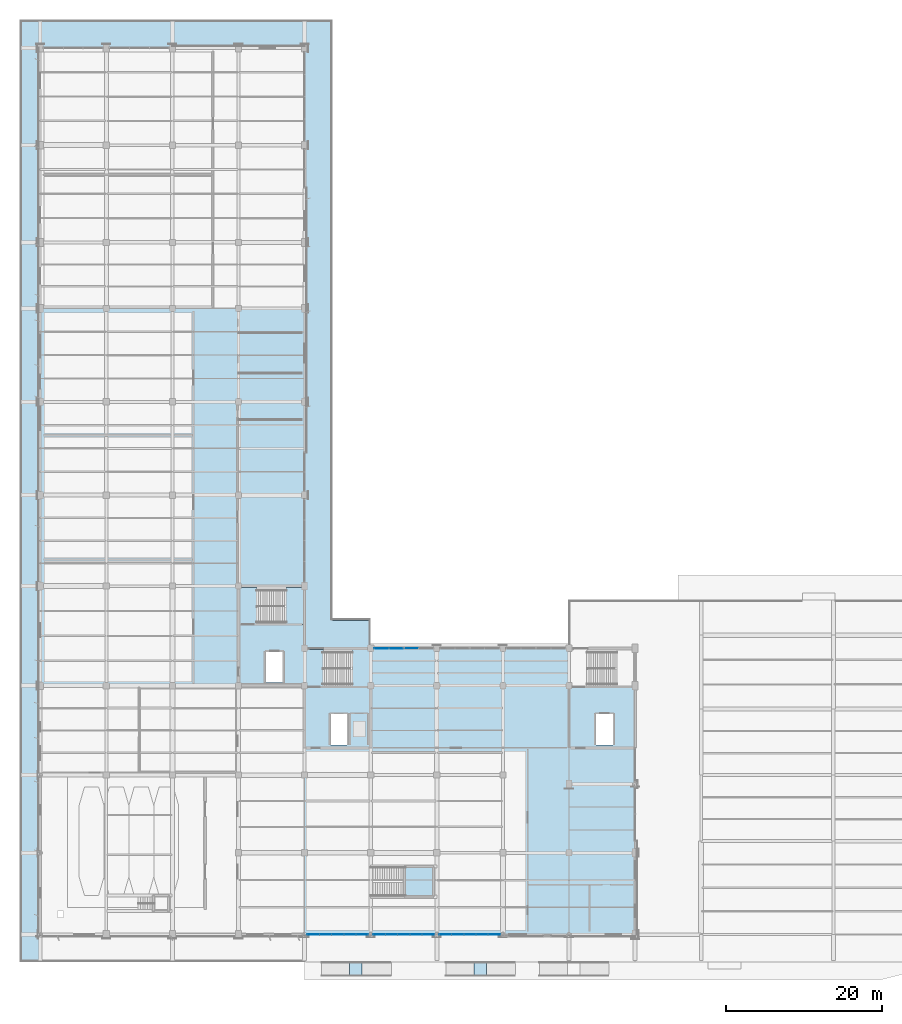
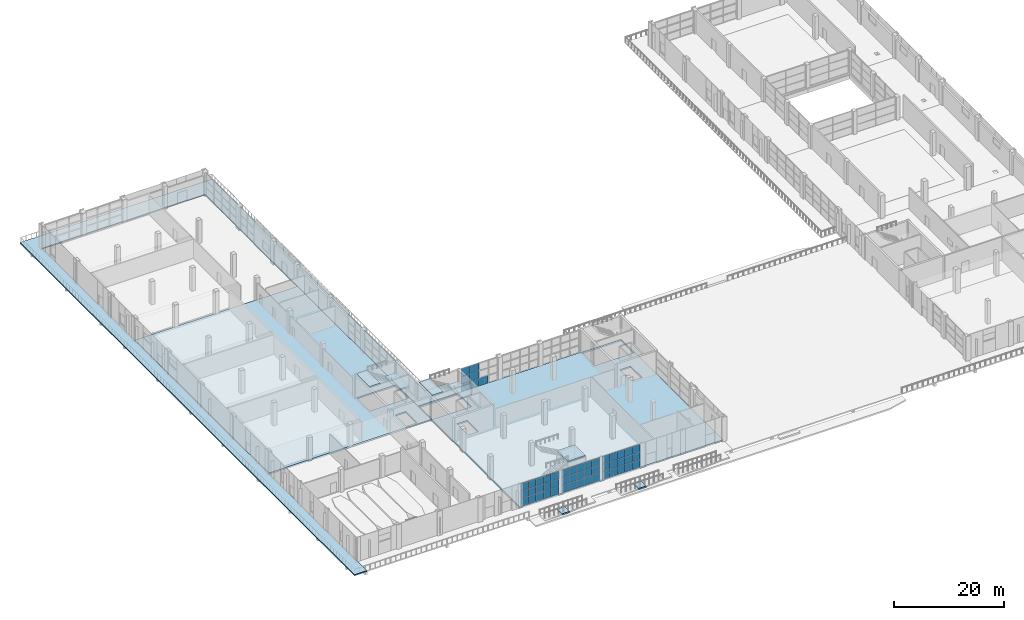
# One storey, part 61 of 90: 52 plates, 10 slabs, 9 elements without a shape of their own.
"""IFC4 building model written with IfcOpenShell, lengths in metres."""

from ifc_helpers import new_model, si_unit, direction, frame, origin, origin_2d, place, context, subcontext, project, spatial, polyline, rectangle, outline, extrude, material, layer, layer_set, type_object, element, aggregate, save


model = new_model("IFC4")

# Units and contexts
model_context = context("Model", 3, precision=1e-05, world=origin(), true_north=direction((0.0, 1.0)))
body_context = subcontext(model_context, "Body", "Model", "MODEL_VIEW")
ifc_project = project(units=[si_unit("LENGTHUNIT", "METRE"), si_unit("AREAUNIT", "SQUARE_METRE"), si_unit("VOLUMEUNIT", "CUBIC_METRE"), si_unit("PLANEANGLEUNIT", "RADIAN"), si_unit("MASSUNIT", "GRAM", prefix="KILO")], contexts=[model_context])

# Site, building, storey
site_placement = place(None, origin())
site = spatial("IfcSite", under=ifc_project, at=site_placement, CompositionType="ELEMENT")
building_placement = place(site_placement, origin())
building = spatial("IfcBuilding", under=site, at=building_placement, Name="Solvikara Media Centre", CompositionType="ELEMENT")
storey_placement = place(building_placement, origin())
storey = spatial("IfcBuildingStorey", under=building, at=storey_placement, Name="L00", CompositionType="ELEMENT", Elevation=0.0)

# Curtain wall, plates
ifc_material_1 = material(Name="Anodised aluminium EN AW-6063", Category="aluminium")
curtain_wall_type = type_object("IfcCurtainWallType", Name="CW-03", PredefinedType="NOTDEFINED", material=ifc_material_1)
curtain_wall_1_placement = place(storey_placement, origin())
curtain_wall_1 = element("IfcCurtainWall", 1, at=curtain_wall_1_placement, inside=storey, type_object=curtain_wall_type, Name="CW-L00-FOY-S1", PredefinedType="NOTDEFINED")
ifc_material_2 = material(Name="Double-glazed low-E architectural glass", Category="glass")
ifc_layer_1 = layer(ifc_material_2, 0.035888671875)
ifc_layer_set_1 = layer_set([ifc_layer_1], Name="Double-glazed low-E architectural glass")
plate_type_1 = type_object("IfcPlateType", Name="PN-06", PredefinedType="CURTAIN_PANEL", material=ifc_layer_set_1)
plate_1_placement = place(storey_placement, frame((35.10498046875, 0.0, 1.7216796875), z_axis=(0.0, 0.0, 1.0), x_axis=(1.0, 0.0, 0.0)))
plate_1 = element("IfcPlate", 2, at=plate_1_placement, type_object=plate_type_1, Name="CW-L00-FOY-S1-P0001", PredefinedType="CURTAIN_PANEL", context=body_context, shape_type="SweptSolid", body=[
    extrude(rectangle(XDim=1.5419921875, YDim=0.035888671875, at=origin_2d()), origin(), (0.0, 0.0, 1.0), 1.656982421875),
])
plate_2_placement = place(storey_placement, frame((36.677978515625, 0.0, 1.7216796875), z_axis=(0.0, 0.0, 1.0), x_axis=(1.0, 0.0, 0.0)))
plate_2 = element("IfcPlate", 3, at=plate_2_placement, type_object=plate_type_1, Name="CW-L00-FOY-S1-P0101", PredefinedType="CURTAIN_PANEL", context=body_context, shape_type="SweptSolid", body=[
    extrude(rectangle(XDim=1.5419921875, YDim=0.035888671875, at=origin_2d()), origin(), (0.0, 0.0, 1.0), 1.656982421875),
])
plate_3_placement = place(storey_placement, frame((38.25, 0.0, 1.7216796875), z_axis=(0.0, 0.0, 1.0), x_axis=(1.0, 0.0, 0.0)))
plate_3 = element("IfcPlate", 4, at=plate_3_placement, type_object=plate_type_1, Name="CW-L00-FOY-S1-P0201", PredefinedType="CURTAIN_PANEL", context=body_context, shape_type="SweptSolid", body=[
    extrude(rectangle(XDim=1.5419921875, YDim=0.035888671875, at=origin_2d()), origin(), (0.0, 0.0, 1.0), 1.656982421875),
])
plate_4_placement = place(storey_placement, frame((39.822021484375, 0.0, 1.7216796875), z_axis=(0.0, 0.0, 1.0), x_axis=(1.0, 0.0, 0.0)))
plate_4 = element("IfcPlate", 5, at=plate_4_placement, type_object=plate_type_1, Name="CW-L00-FOY-S1-P0301", PredefinedType="CURTAIN_PANEL", context=body_context, shape_type="SweptSolid", body=[
    extrude(rectangle(XDim=1.5419921875, YDim=0.035888671875, at=origin_2d()), origin(), (0.0, 0.0, 1.0), 1.656982421875),
])
plate_5_placement = place(storey_placement, frame((41.39501953125, 0.0, 1.7216796875), z_axis=(0.0, 0.0, 1.0), x_axis=(1.0, 0.0, 0.0)))
plate_5 = element("IfcPlate", 6, at=plate_5_placement, type_object=plate_type_1, Name="CW-L00-FOY-S1-P0401", PredefinedType="CURTAIN_PANEL", context=body_context, shape_type="SweptSolid", body=[
    extrude(rectangle(XDim=1.5419921875, YDim=0.035888671875, at=origin_2d()), origin(), (0.0, 0.0, 1.0), 1.656982421875),
])

curtain_wall_2_placement = place(storey_placement, origin())
curtain_wall_2 = element("IfcCurtainWall", 7, at=curtain_wall_2_placement, inside=storey, type_object=curtain_wall_type, Name="CW-L00-FOY-S2", PredefinedType="NOTDEFINED")
plate_6_placement = place(storey_placement, frame((43.60498046875, 0.0, 1.7216796875), z_axis=(0.0, 0.0, 1.0), x_axis=(1.0, 0.0, 0.0)))
plate_6 = element("IfcPlate", 8, at=plate_6_placement, type_object=plate_type_1, Name="CW-L00-FOY-S2-P0001", PredefinedType="CURTAIN_PANEL", context=body_context, shape_type="SweptSolid", body=[
    extrude(rectangle(XDim=1.5419921875, YDim=0.035888671875, at=origin_2d()), origin(), (0.0, 0.0, 1.0), 1.656982421875),
])
plate_7_placement = place(storey_placement, frame((45.177978515625, 0.0, 1.7216796875), z_axis=(0.0, 0.0, 1.0), x_axis=(1.0, 0.0, 0.0)))
plate_7 = element("IfcPlate", 9, at=plate_7_placement, type_object=plate_type_1, Name="CW-L00-FOY-S2-P0101", PredefinedType="CURTAIN_PANEL", context=body_context, shape_type="SweptSolid", body=[
    extrude(rectangle(XDim=1.5419921875, YDim=0.035888671875, at=origin_2d()), origin(), (0.0, 0.0, 1.0), 1.656982421875),
])
plate_8_placement = place(storey_placement, frame((46.75, 0.0, 1.7216796875), z_axis=(0.0, 0.0, 1.0), x_axis=(1.0, 0.0, 0.0)))
plate_8 = element("IfcPlate", 10, at=plate_8_placement, type_object=plate_type_1, Name="CW-L00-FOY-S2-P0201", PredefinedType="CURTAIN_PANEL", context=body_context, shape_type="SweptSolid", body=[
    extrude(rectangle(XDim=1.5419921875, YDim=0.035888671875, at=origin_2d()), origin(), (0.0, 0.0, 1.0), 1.656982421875),
])
plate_9_placement = place(storey_placement, frame((48.322021484375, 0.0, 1.7216796875), z_axis=(0.0, 0.0, 1.0), x_axis=(1.0, 0.0, 0.0)))
plate_9 = element("IfcPlate", 11, at=plate_9_placement, type_object=plate_type_1, Name="CW-L00-FOY-S2-P0301", PredefinedType="CURTAIN_PANEL", context=body_context, shape_type="SweptSolid", body=[
    extrude(rectangle(XDim=1.5419921875, YDim=0.035888671875, at=origin_2d()), origin(), (0.0, 0.0, 1.0), 1.656982421875),
])
plate_10_placement = place(storey_placement, frame((49.89501953125, 0.0, 1.7216796875), z_axis=(0.0, 0.0, 1.0), x_axis=(1.0, 0.0, 0.0)))
plate_10 = element("IfcPlate", 12, at=plate_10_placement, type_object=plate_type_1, Name="CW-L00-FOY-S2-P0401", PredefinedType="CURTAIN_PANEL", context=body_context, shape_type="SweptSolid", body=[
    extrude(rectangle(XDim=1.5419921875, YDim=0.035888671875, at=origin_2d()), origin(), (0.0, 0.0, 1.0), 1.656982421875),
])

curtain_wall_3_placement = place(storey_placement, origin())
curtain_wall_3 = element("IfcCurtainWall", 13, at=curtain_wall_3_placement, inside=storey, type_object=curtain_wall_type, Name="CW-L00-FOY-S3", PredefinedType="NOTDEFINED")
plate_11_placement = place(storey_placement, frame((52.10498046875, 0.0, 1.7216796875), z_axis=(0.0, 0.0, 1.0), x_axis=(1.0, 0.0, 0.0)))
plate_11 = element("IfcPlate", 14, at=plate_11_placement, type_object=plate_type_1, Name="CW-L00-FOY-S3-P0001", PredefinedType="CURTAIN_PANEL", context=body_context, shape_type="SweptSolid", body=[
    extrude(rectangle(XDim=1.5419921875, YDim=0.035888671875, at=origin_2d()), origin(), (0.0, 0.0, 1.0), 1.656982421875),
])
plate_12_placement = place(storey_placement, frame((53.677978515625, 0.0, 1.7216796875), z_axis=(0.0, 0.0, 1.0), x_axis=(1.0, 0.0, 0.0)))
plate_12 = element("IfcPlate", 15, at=plate_12_placement, type_object=plate_type_1, Name="CW-L00-FOY-S3-P0101", PredefinedType="CURTAIN_PANEL", context=body_context, shape_type="SweptSolid", body=[
    extrude(rectangle(XDim=1.5419921875, YDim=0.035888671875, at=origin_2d()), origin(), (0.0, 0.0, 1.0), 1.656982421875),
])
plate_13_placement = place(storey_placement, frame((55.25, 0.0, 1.7216796875), z_axis=(0.0, 0.0, 1.0), x_axis=(1.0, 0.0, 0.0)))
plate_13 = element("IfcPlate", 16, at=plate_13_placement, type_object=plate_type_1, Name="CW-L00-FOY-S3-P0201", PredefinedType="CURTAIN_PANEL", context=body_context, shape_type="SweptSolid", body=[
    extrude(rectangle(XDim=1.5419921875, YDim=0.035888671875, at=origin_2d()), origin(), (0.0, 0.0, 1.0), 1.656982421875),
])
plate_14_placement = place(storey_placement, frame((56.822021484375, 0.0, 1.7216796875), z_axis=(0.0, 0.0, 1.0), x_axis=(1.0, 0.0, 0.0)))
plate_14 = element("IfcPlate", 17, at=plate_14_placement, type_object=plate_type_1, Name="CW-L00-FOY-S3-P0301", PredefinedType="CURTAIN_PANEL", context=body_context, shape_type="SweptSolid", body=[
    extrude(rectangle(XDim=1.5419921875, YDim=0.035888671875, at=origin_2d()), origin(), (0.0, 0.0, 1.0), 1.656982421875),
])
plate_15_placement = place(storey_placement, frame((58.39501953125, 0.0, 1.7216796875), z_axis=(0.0, 0.0, 1.0), x_axis=(1.0, 0.0, 0.0)))
plate_15 = element("IfcPlate", 18, at=plate_15_placement, type_object=plate_type_1, Name="CW-L00-FOY-S3-P0401", PredefinedType="CURTAIN_PANEL", context=body_context, shape_type="SweptSolid", body=[
    extrude(rectangle(XDim=1.5419921875, YDim=0.035888671875, at=origin_2d()), origin(), (0.0, 0.0, 1.0), 1.656982421875),
])

curtain_wall_4_placement = place(storey_placement, origin())
curtain_wall_4 = element("IfcCurtainWall", 19, at=curtain_wall_4_placement, inside=storey, type_object=curtain_wall_type, Name="CW-L00-CAF-N1", PredefinedType="NOTDEFINED")
plate_16_placement = place(storey_placement, frame((43.89306640625, 36.800048828125, 0.03466796875), z_axis=(0.0, 0.0, 1.0), x_axis=(1.0, 0.0, 0.0)))
plate_16 = element("IfcPlate", 20, at=plate_16_placement, type_object=plate_type_1, Name="CW-L00-CAF-N1-P0000", PredefinedType="CURTAIN_PANEL", context=body_context, shape_type="SweptSolid", body=[
    extrude(rectangle(XDim=1.875, YDim=0.035888671875, at=origin_2d()), origin(), (0.0, 0.0, 1.0), 1.656982421875),
])
plate_17_placement = place(storey_placement, frame((43.89306640625, 36.800048828125, 1.7216796875), z_axis=(0.0, 0.0, 1.0), x_axis=(1.0, 0.0, 0.0)))
plate_17 = element("IfcPlate", 21, at=plate_17_placement, type_object=plate_type_1, Name="CW-L00-CAF-N1-P0001", PredefinedType="CURTAIN_PANEL", context=body_context, shape_type="SweptSolid", body=[
    extrude(rectangle(XDim=1.875, YDim=0.035888671875, at=origin_2d()), origin(), (0.0, 0.0, 1.0), 1.656982421875),
])
plate_18_placement = place(storey_placement, frame((45.798095703125, 36.800048828125, 0.03466796875), z_axis=(0.0, 0.0, 1.0), x_axis=(1.0, 0.0, 0.0)))
plate_18 = element("IfcPlate", 22, at=plate_18_placement, type_object=plate_type_1, Name="CW-L00-CAF-N1-P0100", PredefinedType="CURTAIN_PANEL", context=body_context, shape_type="SweptSolid", body=[
    extrude(rectangle(XDim=1.875, YDim=0.035888671875, at=origin_2d()), origin(), (0.0, 0.0, 1.0), 1.656982421875),
])
plate_19_placement = place(storey_placement, frame((45.798095703125, 36.800048828125, 1.7216796875), z_axis=(0.0, 0.0, 1.0), x_axis=(1.0, 0.0, 0.0)))
plate_19 = element("IfcPlate", 23, at=plate_19_placement, type_object=plate_type_1, Name="CW-L00-CAF-N1-P0101", PredefinedType="CURTAIN_PANEL", context=body_context, shape_type="SweptSolid", body=[
    extrude(rectangle(XDim=1.875, YDim=0.035888671875, at=origin_2d()), origin(), (0.0, 0.0, 1.0), 1.656982421875),
])
plate_20_placement = place(storey_placement, frame((47.702880859375, 36.800048828125, 0.03466796875), z_axis=(0.0, 0.0, 1.0), x_axis=(1.0, 0.0, 0.0)))
plate_20 = element("IfcPlate", 24, at=plate_20_placement, type_object=plate_type_1, Name="CW-L00-CAF-N1-P0200", PredefinedType="CURTAIN_PANEL", context=body_context, shape_type="SweptSolid", body=[
    extrude(rectangle(XDim=1.875, YDim=0.035888671875, at=origin_2d()), origin(), (0.0, 0.0, 1.0), 1.656982421875),
])

# Plate
ifc_material_3 = material(Name="Insulated silver-pearl glass spandrel panel", Category="glass")
ifc_layer_2 = layer(ifc_material_3, 0.054931640625)
ifc_layer_set_2 = layer_set([ifc_layer_2], Name="Insulated silver-pearl glass spandrel panel")
plate_type_2 = type_object("IfcPlateType", Name="PN-07", PredefinedType="CURTAIN_PANEL", material=ifc_layer_set_2)
plate_21_placement = place(storey_placement, frame((35.10498046875, 0.0, 3.40869140625), z_axis=(0.0, 0.0, 1.0), x_axis=(1.0, 0.0, 0.0)))
plate_21 = element("IfcPlate", 25, at=plate_21_placement, type_object=plate_type_2, Name="CW-L00-FOY-S1-P0002", PredefinedType="CURTAIN_PANEL", context=body_context, shape_type="SweptSolid", body=[
    extrude(rectangle(XDim=1.5419921875, YDim=0.054931640625, at=origin_2d()), origin(), (0.0, 0.0, 1.0), 1.656982421875),
])

plate_22_placement = place(storey_placement, frame((36.677978515625, 0.0, 3.40869140625), z_axis=(0.0, 0.0, 1.0), x_axis=(1.0, 0.0, 0.0)))
plate_22 = element("IfcPlate", 26, at=plate_22_placement, type_object=plate_type_2, Name="CW-L00-FOY-S1-P0102", PredefinedType="CURTAIN_PANEL", context=body_context, shape_type="SweptSolid", body=[
    extrude(rectangle(XDim=1.5419921875, YDim=0.054931640625, at=origin_2d()), origin(), (0.0, 0.0, 1.0), 1.656982421875),
])

plate_23_placement = place(storey_placement, frame((38.25, 0.0, 3.40869140625), z_axis=(0.0, 0.0, 1.0), x_axis=(1.0, 0.0, 0.0)))
plate_23 = element("IfcPlate", 27, at=plate_23_placement, type_object=plate_type_2, Name="CW-L00-FOY-S1-P0202", PredefinedType="CURTAIN_PANEL", context=body_context, shape_type="SweptSolid", body=[
    extrude(rectangle(XDim=1.5419921875, YDim=0.054931640625, at=origin_2d()), origin(), (0.0, 0.0, 1.0), 1.656982421875),
])

plate_24_placement = place(storey_placement, frame((39.822021484375, 0.0, 3.40869140625), z_axis=(0.0, 0.0, 1.0), x_axis=(1.0, 0.0, 0.0)))
plate_24 = element("IfcPlate", 28, at=plate_24_placement, type_object=plate_type_2, Name="CW-L00-FOY-S1-P0302", PredefinedType="CURTAIN_PANEL", context=body_context, shape_type="SweptSolid", body=[
    extrude(rectangle(XDim=1.5419921875, YDim=0.054931640625, at=origin_2d()), origin(), (0.0, 0.0, 1.0), 1.656982421875),
])

plate_25_placement = place(storey_placement, frame((41.39501953125, 0.0, 3.40869140625), z_axis=(0.0, 0.0, 1.0), x_axis=(1.0, 0.0, 0.0)))
plate_25 = element("IfcPlate", 29, at=plate_25_placement, type_object=plate_type_2, Name="CW-L00-FOY-S1-P0402", PredefinedType="CURTAIN_PANEL", context=body_context, shape_type="SweptSolid", body=[
    extrude(rectangle(XDim=1.5419921875, YDim=0.054931640625, at=origin_2d()), origin(), (0.0, 0.0, 1.0), 1.656982421875),
])

plate_26_placement = place(storey_placement, frame((43.60498046875, 0.0, 3.40869140625), z_axis=(0.0, 0.0, 1.0), x_axis=(1.0, 0.0, 0.0)))
plate_26 = element("IfcPlate", 30, at=plate_26_placement, type_object=plate_type_2, Name="CW-L00-FOY-S2-P0002", PredefinedType="CURTAIN_PANEL", context=body_context, shape_type="SweptSolid", body=[
    extrude(rectangle(XDim=1.5419921875, YDim=0.054931640625, at=origin_2d()), origin(), (0.0, 0.0, 1.0), 1.656982421875),
])

plate_27_placement = place(storey_placement, frame((45.177978515625, 0.0, 3.40869140625), z_axis=(0.0, 0.0, 1.0), x_axis=(1.0, 0.0, 0.0)))
plate_27 = element("IfcPlate", 31, at=plate_27_placement, type_object=plate_type_2, Name="CW-L00-FOY-S2-P0102", PredefinedType="CURTAIN_PANEL", context=body_context, shape_type="SweptSolid", body=[
    extrude(rectangle(XDim=1.5419921875, YDim=0.054931640625, at=origin_2d()), origin(), (0.0, 0.0, 1.0), 1.656982421875),
])

plate_28_placement = place(storey_placement, frame((46.75, 0.0, 3.40869140625), z_axis=(0.0, 0.0, 1.0), x_axis=(1.0, 0.0, 0.0)))
plate_28 = element("IfcPlate", 32, at=plate_28_placement, type_object=plate_type_2, Name="CW-L00-FOY-S2-P0202", PredefinedType="CURTAIN_PANEL", context=body_context, shape_type="SweptSolid", body=[
    extrude(rectangle(XDim=1.5419921875, YDim=0.054931640625, at=origin_2d()), origin(), (0.0, 0.0, 1.0), 1.656982421875),
])

plate_29_placement = place(storey_placement, frame((48.322021484375, 0.0, 3.40869140625), z_axis=(0.0, 0.0, 1.0), x_axis=(1.0, 0.0, 0.0)))
plate_29 = element("IfcPlate", 33, at=plate_29_placement, type_object=plate_type_2, Name="CW-L00-FOY-S2-P0302", PredefinedType="CURTAIN_PANEL", context=body_context, shape_type="SweptSolid", body=[
    extrude(rectangle(XDim=1.5419921875, YDim=0.054931640625, at=origin_2d()), origin(), (0.0, 0.0, 1.0), 1.656982421875),
])

plate_30_placement = place(storey_placement, frame((49.89501953125, 0.0, 3.40869140625), z_axis=(0.0, 0.0, 1.0), x_axis=(1.0, 0.0, 0.0)))
plate_30 = element("IfcPlate", 34, at=plate_30_placement, type_object=plate_type_2, Name="CW-L00-FOY-S2-P0402", PredefinedType="CURTAIN_PANEL", context=body_context, shape_type="SweptSolid", body=[
    extrude(rectangle(XDim=1.5419921875, YDim=0.054931640625, at=origin_2d()), origin(), (0.0, 0.0, 1.0), 1.656982421875),
])

plate_31_placement = place(storey_placement, frame((52.10498046875, 0.0, 3.40869140625), z_axis=(0.0, 0.0, 1.0), x_axis=(1.0, 0.0, 0.0)))
plate_31 = element("IfcPlate", 35, at=plate_31_placement, type_object=plate_type_2, Name="CW-L00-FOY-S3-P0002", PredefinedType="CURTAIN_PANEL", context=body_context, shape_type="SweptSolid", body=[
    extrude(rectangle(XDim=1.5419921875, YDim=0.054931640625, at=origin_2d()), origin(), (0.0, 0.0, 1.0), 1.656982421875),
])

plate_32_placement = place(storey_placement, frame((53.677978515625, 0.0, 3.40869140625), z_axis=(0.0, 0.0, 1.0), x_axis=(1.0, 0.0, 0.0)))
plate_32 = element("IfcPlate", 36, at=plate_32_placement, type_object=plate_type_2, Name="CW-L00-FOY-S3-P0102", PredefinedType="CURTAIN_PANEL", context=body_context, shape_type="SweptSolid", body=[
    extrude(rectangle(XDim=1.5419921875, YDim=0.054931640625, at=origin_2d()), origin(), (0.0, 0.0, 1.0), 1.656982421875),
])

plate_33_placement = place(storey_placement, frame((55.25, 0.0, 3.40869140625), z_axis=(0.0, 0.0, 1.0), x_axis=(1.0, 0.0, 0.0)))
plate_33 = element("IfcPlate", 37, at=plate_33_placement, type_object=plate_type_2, Name="CW-L00-FOY-S3-P0202", PredefinedType="CURTAIN_PANEL", context=body_context, shape_type="SweptSolid", body=[
    extrude(rectangle(XDim=1.5419921875, YDim=0.054931640625, at=origin_2d()), origin(), (0.0, 0.0, 1.0), 1.656982421875),
])

plate_34_placement = place(storey_placement, frame((56.822021484375, 0.0, 3.40869140625), z_axis=(0.0, 0.0, 1.0), x_axis=(1.0, 0.0, 0.0)))
plate_34 = element("IfcPlate", 38, at=plate_34_placement, type_object=plate_type_2, Name="CW-L00-FOY-S3-P0302", PredefinedType="CURTAIN_PANEL", context=body_context, shape_type="SweptSolid", body=[
    extrude(rectangle(XDim=1.5419921875, YDim=0.054931640625, at=origin_2d()), origin(), (0.0, 0.0, 1.0), 1.656982421875),
])

plate_35_placement = place(storey_placement, frame((58.39501953125, 0.0, 3.40869140625), z_axis=(0.0, 0.0, 1.0), x_axis=(1.0, 0.0, 0.0)))
plate_35 = element("IfcPlate", 39, at=plate_35_placement, type_object=plate_type_2, Name="CW-L00-FOY-S3-P0402", PredefinedType="CURTAIN_PANEL", context=body_context, shape_type="SweptSolid", body=[
    extrude(rectangle(XDim=1.5419921875, YDim=0.054931640625, at=origin_2d()), origin(), (0.0, 0.0, 1.0), 1.656982421875),
])

plate_36_placement = place(storey_placement, frame((43.89306640625, 36.800048828125, 3.40869140625), z_axis=(0.0, 0.0, 1.0), x_axis=(1.0, 0.0, 0.0)))
plate_36 = element("IfcPlate", 40, at=plate_36_placement, type_object=plate_type_2, Name="CW-L00-CAF-N1-P0002", PredefinedType="CURTAIN_PANEL", context=body_context, shape_type="SweptSolid", body=[
    extrude(rectangle(XDim=1.875, YDim=0.054931640625, at=origin_2d()), origin(), (0.0, 0.0, 1.0), 1.656982421875),
])

plate_37_placement = place(storey_placement, frame((45.798095703125, 36.800048828125, 3.40869140625), z_axis=(0.0, 0.0, 1.0), x_axis=(1.0, 0.0, 0.0)))
plate_37 = element("IfcPlate", 41, at=plate_37_placement, type_object=plate_type_2, Name="CW-L00-CAF-N1-P0102", PredefinedType="CURTAIN_PANEL", context=body_context, shape_type="SweptSolid", body=[
    extrude(rectangle(XDim=1.875, YDim=0.054931640625, at=origin_2d()), origin(), (0.0, 0.0, 1.0), 1.656982421875),
])

aggregate(curtain_wall_4, [plate_16, plate_17, plate_36, plate_18, plate_19, plate_37, plate_20])

ifc_layer_3 = layer(ifc_material_2, 0.0400390625)
ifc_layer_set_3 = layer_set([ifc_layer_3], Name="Double-glazed low-E architectural glass")
plate_type_3 = type_object("IfcPlateType", Name="PN-14", PredefinedType="CURTAIN_PANEL", material=ifc_layer_set_3)
plate_38_placement = place(storey_placement, frame((35.10498046875, 0.0, 0.03466796875), z_axis=(0.0, 0.0, 1.0), x_axis=(1.0, 0.0, 0.0)))
plate_38 = element("IfcPlate", 42, at=plate_38_placement, type_object=plate_type_3, Name="CW-L00-FOY-S1-P0000", PredefinedType="CURTAIN_PANEL", context=body_context, shape_type="SweptSolid", body=[
    extrude(rectangle(XDim=1.5419921875, YDim=0.0400390625, at=origin_2d()), origin(), (0.0, 0.0, 1.0), 1.656982421875),
])

plate_39_placement = place(storey_placement, frame((36.677978515625, 0.0, 0.03466796875), z_axis=(0.0, 0.0, 1.0), x_axis=(1.0, 0.0, 0.0)))
plate_39 = element("IfcPlate", 43, at=plate_39_placement, type_object=plate_type_3, Name="CW-L00-FOY-S1-P0100", PredefinedType="CURTAIN_PANEL", context=body_context, shape_type="SweptSolid", body=[
    extrude(rectangle(XDim=1.5419921875, YDim=0.0400390625, at=origin_2d()), origin(), (0.0, 0.0, 1.0), 1.656982421875),
])

plate_40_placement = place(storey_placement, frame((38.25, 0.0, 0.03466796875), z_axis=(0.0, 0.0, 1.0), x_axis=(1.0, 0.0, 0.0)))
plate_40 = element("IfcPlate", 44, at=plate_40_placement, type_object=plate_type_3, Name="CW-L00-FOY-S1-P0200", PredefinedType="CURTAIN_PANEL", context=body_context, shape_type="SweptSolid", body=[
    extrude(rectangle(XDim=1.5419921875, YDim=0.0400390625, at=origin_2d()), origin(), (0.0, 0.0, 1.0), 1.656982421875),
])

plate_41_placement = place(storey_placement, frame((39.822021484375, 0.0, 0.03466796875), z_axis=(0.0, 0.0, 1.0), x_axis=(1.0, 0.0, 0.0)))
plate_41 = element("IfcPlate", 45, at=plate_41_placement, type_object=plate_type_3, Name="CW-L00-FOY-S1-P0300", PredefinedType="CURTAIN_PANEL", context=body_context, shape_type="SweptSolid", body=[
    extrude(rectangle(XDim=1.5419921875, YDim=0.0400390625, at=origin_2d()), origin(), (0.0, 0.0, 1.0), 1.656982421875),
])

plate_42_placement = place(storey_placement, frame((41.39501953125, 0.0, 0.03466796875), z_axis=(0.0, 0.0, 1.0), x_axis=(1.0, 0.0, 0.0)))
plate_42 = element("IfcPlate", 46, at=plate_42_placement, type_object=plate_type_3, Name="CW-L00-FOY-S1-P0400", PredefinedType="CURTAIN_PANEL", context=body_context, shape_type="SweptSolid", body=[
    extrude(rectangle(XDim=1.5419921875, YDim=0.0400390625, at=origin_2d()), origin(), (0.0, 0.0, 1.0), 1.656982421875),
])

aggregate(curtain_wall_1, [plate_38, plate_1, plate_21, plate_39, plate_2, plate_22, plate_40, plate_3, plate_23, plate_41, plate_4, plate_24, plate_42, plate_5, plate_25])

plate_43_placement = place(storey_placement, frame((43.60498046875, 0.0, 0.03466796875), z_axis=(0.0, 0.0, 1.0), x_axis=(1.0, 0.0, 0.0)))
plate_43 = element("IfcPlate", 47, at=plate_43_placement, type_object=plate_type_3, Name="CW-L00-FOY-S2-P0000", PredefinedType="CURTAIN_PANEL", context=body_context, shape_type="SweptSolid", body=[
    extrude(rectangle(XDim=1.5419921875, YDim=0.0400390625, at=origin_2d()), origin(), (0.0, 0.0, 1.0), 1.656982421875),
])

plate_44_placement = place(storey_placement, frame((45.177978515625, 0.0, 0.03466796875), z_axis=(0.0, 0.0, 1.0), x_axis=(1.0, 0.0, 0.0)))
plate_44 = element("IfcPlate", 48, at=plate_44_placement, type_object=plate_type_3, Name="CW-L00-FOY-S2-P0100", PredefinedType="CURTAIN_PANEL", context=body_context, shape_type="SweptSolid", body=[
    extrude(rectangle(XDim=1.5419921875, YDim=0.0400390625, at=origin_2d()), origin(), (0.0, 0.0, 1.0), 1.656982421875),
])

plate_45_placement = place(storey_placement, frame((46.75, 0.0, 0.03466796875), z_axis=(0.0, 0.0, 1.0), x_axis=(1.0, 0.0, 0.0)))
plate_45 = element("IfcPlate", 49, at=plate_45_placement, type_object=plate_type_3, Name="CW-L00-FOY-S2-P0200", PredefinedType="CURTAIN_PANEL", context=body_context, shape_type="SweptSolid", body=[
    extrude(rectangle(XDim=1.5419921875, YDim=0.0400390625, at=origin_2d()), origin(), (0.0, 0.0, 1.0), 1.656982421875),
])

plate_46_placement = place(storey_placement, frame((48.322021484375, 0.0, 0.03466796875), z_axis=(0.0, 0.0, 1.0), x_axis=(1.0, 0.0, 0.0)))
plate_46 = element("IfcPlate", 50, at=plate_46_placement, type_object=plate_type_3, Name="CW-L00-FOY-S2-P0300", PredefinedType="CURTAIN_PANEL", context=body_context, shape_type="SweptSolid", body=[
    extrude(rectangle(XDim=1.5419921875, YDim=0.0400390625, at=origin_2d()), origin(), (0.0, 0.0, 1.0), 1.656982421875),
])

plate_47_placement = place(storey_placement, frame((49.89501953125, 0.0, 0.03466796875), z_axis=(0.0, 0.0, 1.0), x_axis=(1.0, 0.0, 0.0)))
plate_47 = element("IfcPlate", 51, at=plate_47_placement, type_object=plate_type_3, Name="CW-L00-FOY-S2-P0400", PredefinedType="CURTAIN_PANEL", context=body_context, shape_type="SweptSolid", body=[
    extrude(rectangle(XDim=1.5419921875, YDim=0.0400390625, at=origin_2d()), origin(), (0.0, 0.0, 1.0), 1.656982421875),
])

aggregate(curtain_wall_2, [plate_43, plate_6, plate_26, plate_44, plate_7, plate_27, plate_45, plate_8, plate_28, plate_46, plate_9, plate_29, plate_47, plate_10, plate_30])

plate_48_placement = place(storey_placement, frame((52.10498046875, 0.0, 0.03466796875), z_axis=(0.0, 0.0, 1.0), x_axis=(1.0, 0.0, 0.0)))
plate_48 = element("IfcPlate", 52, at=plate_48_placement, type_object=plate_type_3, Name="CW-L00-FOY-S3-P0000", PredefinedType="CURTAIN_PANEL", context=body_context, shape_type="SweptSolid", body=[
    extrude(rectangle(XDim=1.5419921875, YDim=0.0400390625, at=origin_2d()), origin(), (0.0, 0.0, 1.0), 1.656982421875),
])

plate_49_placement = place(storey_placement, frame((53.677978515625, 0.0, 0.03466796875), z_axis=(0.0, 0.0, 1.0), x_axis=(1.0, 0.0, 0.0)))
plate_49 = element("IfcPlate", 53, at=plate_49_placement, type_object=plate_type_3, Name="CW-L00-FOY-S3-P0100", PredefinedType="CURTAIN_PANEL", context=body_context, shape_type="SweptSolid", body=[
    extrude(rectangle(XDim=1.5419921875, YDim=0.0400390625, at=origin_2d()), origin(), (0.0, 0.0, 1.0), 1.656982421875),
])

plate_50_placement = place(storey_placement, frame((55.25, 0.0, 0.03466796875), z_axis=(0.0, 0.0, 1.0), x_axis=(1.0, 0.0, 0.0)))
plate_50 = element("IfcPlate", 54, at=plate_50_placement, type_object=plate_type_3, Name="CW-L00-FOY-S3-P0200", PredefinedType="CURTAIN_PANEL", context=body_context, shape_type="SweptSolid", body=[
    extrude(rectangle(XDim=1.5419921875, YDim=0.0400390625, at=origin_2d()), origin(), (0.0, 0.0, 1.0), 1.656982421875),
])

plate_51_placement = place(storey_placement, frame((56.822021484375, 0.0, 0.03466796875), z_axis=(0.0, 0.0, 1.0), x_axis=(1.0, 0.0, 0.0)))
plate_51 = element("IfcPlate", 55, at=plate_51_placement, type_object=plate_type_3, Name="CW-L00-FOY-S3-P0300", PredefinedType="CURTAIN_PANEL", context=body_context, shape_type="SweptSolid", body=[
    extrude(rectangle(XDim=1.5419921875, YDim=0.0400390625, at=origin_2d()), origin(), (0.0, 0.0, 1.0), 1.656982421875),
])

plate_52_placement = place(storey_placement, frame((58.39501953125, 0.0, 0.03466796875), z_axis=(0.0, 0.0, 1.0), x_axis=(1.0, 0.0, 0.0)))
plate_52 = element("IfcPlate", 56, at=plate_52_placement, type_object=plate_type_3, Name="CW-L00-FOY-S3-P0400", PredefinedType="CURTAIN_PANEL", context=body_context, shape_type="SweptSolid", body=[
    extrude(rectangle(XDim=1.5419921875, YDim=0.0400390625, at=origin_2d()), origin(), (0.0, 0.0, 1.0), 1.656982421875),
])

aggregate(curtain_wall_3, [plate_48, plate_11, plate_31, plate_49, plate_12, plate_32, plate_50, plate_13, plate_33, plate_51, plate_14, plate_34, plate_52, plate_15, plate_35])

# Slabs
ifc_material_4 = material(Name="Concrete fc' 35 MPa (C35/45)", Category="concrete")
ifc_layer_4 = layer(ifc_material_4, 0.340087890625)
ifc_layer_set_4 = layer_set([ifc_layer_4], Name="Concrete fc' 35 MPa (C35/45)")
slab_type_1 = type_object("IfcSlabType", Name="ST-03", PredefinedType="BASESLAB", material=ifc_layer_set_4)
slab_1_placement = place(storey_placement, frame((0.0, 0.0, -0.340087890625)))
element("IfcSlab", 57, at=slab_1_placement, inside=storey, type_object=slab_type_1, Name="SL-L00-V4", PredefinedType="BASESLAB", context=body_context, shape_type="SweptSolid", body=[
    extrude(outline(polyline([(0.0, 32.0), (34.0, 32.0), (34.0, 80.5), (0.0, 80.5), (0.0, 32.0)]), holes=[polyline([(25.679931640625, 39.85009765625), (33.820068359375, 39.85009765625), (33.820068359375, 44.6201171875), (25.679931640625, 44.6201171875), (25.679931640625, 39.85009765625)]), polyline([(29.0, 32.39990234375), (31.199951171875, 32.39990234375), (31.199951171875, 36.449951171875), (29.0, 36.449951171875), (29.0, 32.39990234375)])]), origin(), (0.0, 0.0, 1.0), 0.340087890625),
])
slab_2_placement = place(storey_placement, frame((0.0, 0.0, -0.340087890625)))
element("IfcSlab", 58, at=slab_2_placement, inside=storey, type_object=slab_type_1, Name="SL-L00-V6", PredefinedType="BASESLAB", context=body_context, shape_type="SweptSolid", body=[
    extrude(outline(polyline([(34.0, 0.0), (76.5, 0.0), (76.5, 36.800048828125), (34.0, 36.800048828125), (34.0, 0.0)]), holes=[polyline([(34.179931640625, 31.85009765625), (42.320068359375, 31.85009765625), (42.320068359375, 36.6201171875), (34.179931640625, 36.6201171875), (34.179931640625, 31.85009765625)]), polyline([(37.35009765625, 24.39990234375), (39.449951171875, 24.39990234375), (39.449951171875, 28.449951171875), (37.35009765625, 28.449951171875), (37.35009765625, 24.39990234375)]), polyline([(68.179931640625, 31.85009765625), (76.320068359375, 31.85009765625), (76.320068359375, 36.6201171875), (68.179931640625, 36.6201171875), (68.179931640625, 31.85009765625)]), polyline([(71.449951171875, 24.39990234375), (73.64990234375, 24.39990234375), (73.64990234375, 28.449951171875), (71.449951171875, 28.449951171875), (71.449951171875, 24.39990234375)])]), origin(), (0.0, 0.0, 1.0), 0.340087890625),
])
ifc_layer_5 = layer(ifc_material_4, 0.25)
ifc_layer_set_5 = layer_set([ifc_layer_5], Name="Concrete fc' 35 MPa (C35/45)")
slab_type_2 = type_object("IfcSlabType", Name="ST-12", PredefinedType="FLOOR", material=ifc_layer_set_5)
slab_3_placement = place(storey_placement, frame((0.0, 0.0, -0.25)))
element("IfcSlab", 59, at=slab_3_placement, inside=storey, type_object=slab_type_2, Name="TER-L00-WEST", PredefinedType="FLOOR", context=body_context, shape_type="SweptSolid", body=[
    extrude(outline(polyline([(-2.60009765625, -3.550048828125), (0.0, -3.550048828125), (0.0, 114.0), (34.0, 114.0), (34.0, 36.800048828125), (42.5, 36.800048828125), (42.5, 40.39990234375), (37.60009765625, 40.39990234375), (37.60009765625, 117.60009765625), (-2.60009765625, 117.60009765625), (-2.60009765625, -3.550048828125)])), origin(), (0.0, 0.0, 1.0), 0.25),
])

# Stair, slabs
stair_type_1 = type_object("IfcStairType", Name="SR-02", PredefinedType="HALF_TURN_STAIR", material=ifc_material_4)
stair_1_placement = place(storey_placement, origin())
stair_1 = element("IfcStair", 60, at=stair_1_placement, inside=storey, type_object=stair_type_1, Name="ST-C1-L00", PredefinedType="HALF_TURN_STAIR")
ifc_layer_6 = layer(ifc_material_4, 0.330078125)
ifc_layer_set_6 = layer_set([ifc_layer_6], Name="Concrete fc' 35 MPa (C35/45)")
slab_type_3 = type_object("IfcSlabType", Name="ST-15", PredefinedType="LANDING", material=ifc_layer_set_6)
slab_4_placement = place(storey_placement, frame((0.0, 0.0, 2.3701171875)))
slab_4 = element("IfcSlab", 61, at=slab_4_placement, type_object=slab_type_3, Name="ST-C1-L00-LND", PredefinedType="LANDING", context=body_context, shape_type="SweptSolid", body=[
    extrude(outline(polyline([(31.580078125, 39.85009765625), (33.8798828125, 39.85009765625), (33.8798828125, 44.6201171875), (31.580078125, 44.6201171875), (31.580078125, 39.85009765625)])), origin(), (0.0, 0.0, 1.0), 0.329833984375),
])
slab_5_placement = place(storey_placement, frame((0.0, 0.0, 5.070068359375)))
slab_5 = element("IfcSlab", 62, at=slab_5_placement, type_object=slab_type_3, Name="ST-C1-L00-ARR", PredefinedType="LANDING", context=body_context, shape_type="SweptSolid", body=[
    extrude(outline(polyline([(25.6201171875, 39.85009765625), (27.89990234375, 39.85009765625), (27.89990234375, 44.6201171875), (25.6201171875, 44.6201171875), (25.6201171875, 39.85009765625)])), origin(), (0.0, 0.0, 1.0), 0.329833984375),
])
aggregate(stair_1, [slab_4, slab_5])

stair_type_2 = type_object("IfcStairType", Name="SR-04", PredefinedType="HALF_TURN_STAIR", material=ifc_material_4)
stair_2_placement = place(storey_placement, origin())
stair_2 = element("IfcStair", 63, at=stair_2_placement, inside=storey, type_object=stair_type_2, Name="ST-C2-L00", PredefinedType="HALF_TURN_STAIR")
slab_6_placement = place(storey_placement, frame((0.0, 0.0, 2.3701171875)))
slab_6 = element("IfcSlab", 64, at=slab_6_placement, type_object=slab_type_3, Name="ST-C2-L00-LND", PredefinedType="LANDING", context=body_context, shape_type="SweptSolid", body=[
    extrude(outline(polyline([(40.080078125, 31.85009765625), (42.3798828125, 31.85009765625), (42.3798828125, 36.6201171875), (40.080078125, 36.6201171875), (40.080078125, 31.85009765625)])), origin(), (0.0, 0.0, 1.0), 0.329833984375),
])
slab_7_placement = place(storey_placement, frame((0.0, 0.0, 5.070068359375)))
slab_7 = element("IfcSlab", 65, at=slab_7_placement, type_object=slab_type_3, Name="ST-C2-L00-ARR", PredefinedType="LANDING", context=body_context, shape_type="SweptSolid", body=[
    extrude(outline(polyline([(34.1201171875, 31.85009765625), (36.39990234375, 31.85009765625), (36.39990234375, 36.6201171875), (34.1201171875, 36.6201171875), (34.1201171875, 31.85009765625)])), origin(), (0.0, 0.0, 1.0), 0.329833984375),
])
aggregate(stair_2, [slab_6, slab_7])

# Ramp, slab
ramp_type = type_object("IfcRampType", Name="RP-01", PredefinedType="TWO_STRAIGHT_RUN_RAMP", material=ifc_material_4)
ramp_1_placement = place(storey_placement, origin())
ramp_1 = element("IfcRamp", 66, at=ramp_1_placement, inside=storey, type_object=ramp_type, Name="RMP-01", PredefinedType="TWO_STRAIGHT_RUN_RAMP")
ifc_layer_7 = layer(ifc_material_4, 0.2900390625)
ifc_layer_set_7 = layer_set([ifc_layer_7], Name="Concrete fc' 35 MPa (C35/45)")
slab_type_4 = type_object("IfcSlabType", Name="ST-16", PredefinedType="LANDING", material=ifc_layer_set_7)
slab_8_placement = place(storey_placement, frame((0.0, 0.0, -0.590087890625)))
slab_8 = element("IfcSlab", 67, at=slab_8_placement, type_object=slab_type_4, Name="RPLM-01", PredefinedType="LANDING", context=body_context, shape_type="SweptSolid", body=[
    extrude(outline(polyline([(39.800048828125, -5.35009765625), (41.39990234375, -5.35009765625), (41.39990234375, -3.550048828125), (39.800048828125, -3.550048828125), (39.800048828125, -5.35009765625)])), origin(), (0.0, 0.0, 1.0), 0.2900390625),
])
aggregate(ramp_1, [slab_8])

ramp_2_placement = place(storey_placement, origin())
ramp_2 = element("IfcRamp", 68, at=ramp_2_placement, inside=storey, type_object=ramp_type, Name="RMP-02", PredefinedType="TWO_STRAIGHT_RUN_RAMP")
slab_9_placement = place(storey_placement, frame((0.0, 0.0, -0.590087890625)))
slab_9 = element("IfcSlab", 69, at=slab_9_placement, type_object=slab_type_4, Name="RPLM-02", PredefinedType="LANDING", context=body_context, shape_type="SweptSolid", body=[
    extrude(outline(polyline([(55.800048828125, -5.35009765625), (57.39990234375, -5.35009765625), (57.39990234375, -3.550048828125), (55.800048828125, -3.550048828125), (55.800048828125, -5.35009765625)])), origin(), (0.0, 0.0, 1.0), 0.2900390625),
])
aggregate(ramp_2, [slab_9])

# Stair, slab
stair_type_3 = type_object("IfcStairType", Name="SR-05", PredefinedType="HALF_TURN_STAIR", material=ifc_material_4)
stair_3_placement = place(storey_placement, origin())
stair_3 = element("IfcStair", 70, at=stair_3_placement, inside=storey, type_object=stair_type_3, Name="ST-FOY-L00", PredefinedType="HALF_TURN_STAIR")
slab_10_placement = place(storey_placement, frame((0.0, 0.0, 2.409912109375)))
slab_10 = element("IfcSlab", 71, at=slab_10_placement, type_object=slab_type_4, Name="ST-FOY-L00-MID", PredefinedType="LANDING", context=body_context, shape_type="SweptSolid", body=[
    extrude(outline(polyline([(46.85009765625, 4.85009765625), (50.550048828125, 4.85009765625), (50.550048828125, 8.75), (46.85009765625, 8.75), (46.85009765625, 4.85009765625)])), origin(), (0.0, 0.0, 1.0), 0.2900390625),
])
aggregate(stair_3, [slab_10])

save(model, "model.ifc")
